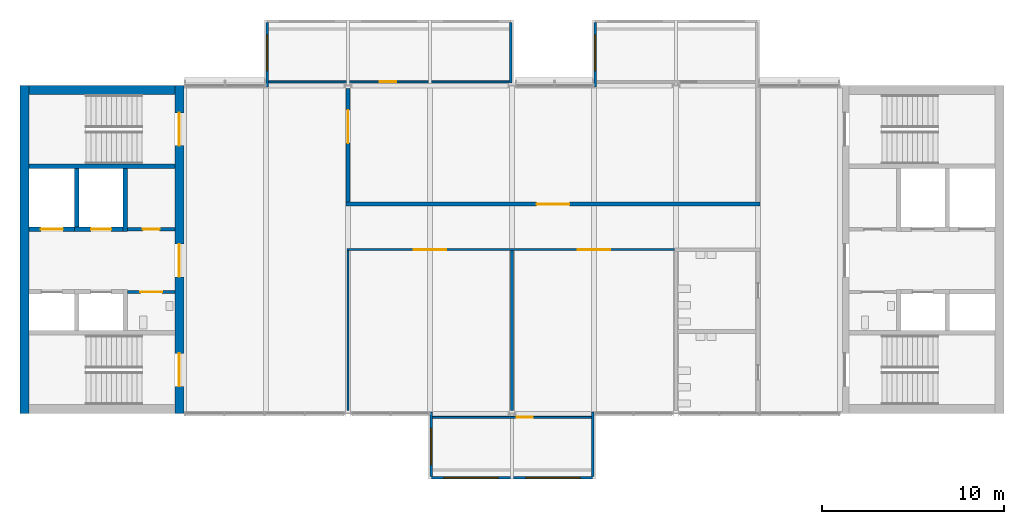
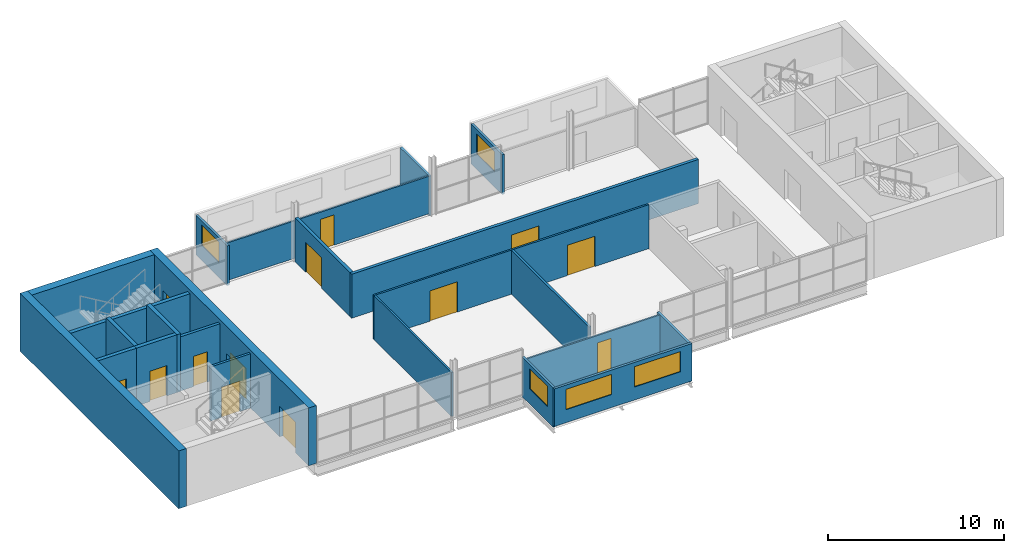
# One storey, part 5 of 10: 23 walls, 13 doors, 5 windows, 18 openings.
"""IFC4 building model written with IfcOpenShell, lengths in metres."""

from ifc_helpers import new_model, si_unit, direction, frame, frame_2d, origin, place, context, subcontext, project, spatial, rectangle, extrude, material, layer, layer_set, type_object, element, fill, save


model = new_model("IFC4")

# Units and contexts
model_context = context("Model", 3, precision=1e-05, world=origin(), true_north=direction((0.0, 1.0)))
body_context = subcontext(model_context, "Body", "Model", "MODEL_VIEW")
ifc_project = project(units=[si_unit("LENGTHUNIT", "METRE"), si_unit("AREAUNIT", "SQUARE_METRE"), si_unit("VOLUMEUNIT", "CUBIC_METRE"), si_unit("PLANEANGLEUNIT", "RADIAN"), si_unit("MASSUNIT", "GRAM", prefix="KILO")], contexts=[model_context])

# Site, building, storey
site_placement = place(None, origin())
site = spatial("IfcSite", under=ifc_project, at=site_placement, CompositionType="ELEMENT")
building_placement = place(site_placement, origin())
building = spatial("IfcBuilding", under=site, at=building_placement, Name="Corbel Yard City Hall", CompositionType="ELEMENT")
storey_placement = place(building_placement, frame((0.0, 0.0, 51.199951171875)))
storey = spatial("IfcBuildingStorey", under=building, at=storey_placement, Name="L12", CompositionType="ELEMENT", Elevation=51.199951171875)

# Walls
ifc_material_1 = material(Name="Concrete N40 (40 MPa)", Category="concrete")
ifc_layer_1 = layer(ifc_material_1, 0.25)
ifc_layer_set_1 = layer_set([ifc_layer_1], Name="Concrete N40 (40 MPa)")
wall_type_1 = type_object("IfcWallType", Name="IW2", PredefinedType="SOLIDWALL", material=ifc_layer_set_1)
wall_1_placement = place(storey_placement, frame((8.5, 112.574951171875, 0.0), z_axis=(0.0, 0.0, 1.0), x_axis=(-1.0, 0.0, 0.0)))
element("IfcWall", 1, at=wall_1_placement, inside=storey, type_object=wall_type_1, Name="Stair enclosure wall", PredefinedType="SOLIDWALL", context=body_context, shape_type="SweptSolid", body=[
    extrude(rectangle(XDim=8.0, YDim=0.25, at=frame_2d((4.0, 0.0))), origin(), (0.0, 0.0, 1.0), 3.75),
])
wall_2_placement = place(storey_placement, frame((5.77490234375, 109.0, 0.0), z_axis=(0.0, 0.0, 1.0), x_axis=(0.0, 1.0, 0.0)))
element("IfcWall", 2, at=wall_2_placement, inside=storey, type_object=wall_type_1, Name="Lift LP24 shaft wall", PredefinedType="SOLIDWALL", context=body_context, shape_type="SweptSolid", body=[
    extrude(rectangle(XDim=3.449951171875, YDim=0.25, at=frame_2d((1.72509765625, 0.0))), origin(), (0.0, 0.0, 1.0), 4.0),
])
wall_3_placement = place(storey_placement, frame((3.125, 109.25, 0.0), z_axis=(0.0, 0.0, 1.0), x_axis=(0.0, 1.0, 0.0)))
element("IfcWall", 3, at=wall_3_placement, inside=storey, type_object=wall_type_1, Name="Lift LP24 shaft wall", PredefinedType="SOLIDWALL", context=body_context, shape_type="SweptSolid", body=[
    extrude(rectangle(XDim=3.199951171875, YDim=0.25, at=frame_2d((1.60009765625, 0.0))), origin(), (0.0, 0.0, 1.0), 4.0),
])

# Wall, opening, door
wall_4_placement = place(storey_placement, frame((5.64990234375, 109.125, 0.0), z_axis=(0.0, 0.0, 1.0), x_axis=(-1.0, 0.0, 0.0)))
wall_4 = element("IfcWall", 4, at=wall_4_placement, inside=storey, type_object=wall_type_1, Name="Lift LP24 shaft wall", PredefinedType="SOLIDWALL", context=body_context, shape_type="SweptSolid", body=[
    extrude(rectangle(XDim=2.64990234375, YDim=0.25, at=frame_2d((1.324951171875, 0.0))), origin(), (0.0, 0.0, 1.0), 4.0),
])
opening_1_placement = place(wall_4_placement, frame((0.64990234375, 0.0, 0.0)))
opening_1 = element("IfcOpeningElement", 5, at=opening_1_placement, cuts=wall_4, Name="Opening T3-006", PredefinedType="OPENING", context=body_context, shape_type="SweptSolid", body=[
    extrude(rectangle(XDim=1.10009765625, YDim=2.10009765625, at=frame_2d((0.550048828125, 1.050048828125))), frame((0.0, 0.135009765625, 0.0), z_axis=(0.0, -1.0, 0.0), x_axis=(1.0, 0.0, 0.0)), (0.0, 0.0, 1.0), 0.27001953125),
])
ifc_material_2 = material(Name="Stainless steel Grade 316", Category="steel")
door_type_1 = type_object("IfcDoorType", Name="LD1", OperationType="DOUBLE_DOOR_SLIDING", PredefinedType="DOOR", material=ifc_material_2)
door_1_placement = place(opening_1_placement, origin())
door_1 = element("IfcDoor", 6, at=door_1_placement, inside=storey, type_object=door_type_1, Name="Lift LP24 landing door", OperationType="DOUBLE_DOOR_SLIDING", OverallHeight=2.10009765625, OverallWidth=1.10009765625, PredefinedType="DOOR", context=body_context, shape_type="SweptSolid", body=[
    extrude(rectangle(XDim=1.10009765625, YDim=2.10009765625, at=frame_2d((0.550048828125, 1.050048828125))), frame((0.0, 0.02490234375, 0.0), z_axis=(0.0, -1.0, 0.0), x_axis=(1.0, 0.0, 0.0)), (0.0, 0.0, 1.0), 0.050048828125),
])
fill(opening_1, door_1)

wall_5_placement = place(storey_placement, frame((3.0, 109.125, 0.0), z_axis=(0.0, 0.0, 1.0), x_axis=(-1.0, 0.0, 0.0)))
wall_5 = element("IfcWall", 7, at=wall_5_placement, inside=storey, type_object=wall_type_1, Name="Lift LF1 shaft wall", PredefinedType="SOLIDWALL", context=body_context, shape_type="SweptSolid", body=[
    extrude(rectangle(XDim=2.5, YDim=0.25, at=frame_2d((1.25, 0.0))), origin(), (0.0, 0.0, 1.0), 4.0),
])
opening_2_placement = place(wall_5_placement, frame((0.64990234375, 0.0, 0.0)))
opening_2 = element("IfcOpeningElement", 8, at=opening_2_placement, cuts=wall_5, Name="Opening T3-007", PredefinedType="OPENING", context=body_context, shape_type="SweptSolid", body=[
    extrude(rectangle(XDim=1.199951171875, YDim=2.10009765625, at=frame_2d((0.60009765625, 1.050048828125))), frame((0.0, 0.135009765625, 0.0), z_axis=(0.0, -1.0, 0.0), x_axis=(1.0, 0.0, 0.0)), (0.0, 0.0, 1.0), 0.27001953125),
])
door_type_2 = type_object("IfcDoorType", Name="LD2", OperationType="DOUBLE_DOOR_SLIDING", PredefinedType="DOOR", material=ifc_material_2)
door_2_placement = place(opening_2_placement, origin())
door_2 = element("IfcDoor", 9, at=door_2_placement, inside=storey, type_object=door_type_2, Name="Lift LF1 landing door", OperationType="DOUBLE_DOOR_SLIDING", OverallHeight=2.10009765625, OverallWidth=1.199951171875, PredefinedType="DOOR", context=body_context, shape_type="SweptSolid", body=[
    extrude(rectangle(XDim=1.199951171875, YDim=2.10009765625, at=frame_2d((0.60009765625, 1.050048828125))), frame((0.0, 0.02490234375, 0.0), z_axis=(0.0, -1.0, 0.0), x_axis=(1.0, 0.0, 0.0)), (0.0, 0.0, 1.0), 0.050048828125),
])
fill(opening_2, door_2)

# Wall, openings, windows
ifc_material_3 = material(Name="Anodised aluminium", Category="aluminium")
ifc_layer_2 = layer(ifc_material_3, 0.02392578125)
ifc_material_4 = material(Name="Steel Grade G550 (550 MPa yield)", Category="steel")
ifc_layer_3 = layer(ifc_material_4, 0.10009765625)
ifc_material_5 = material(Name="Gypsum plasterboard", Category="gypsum")
ifc_layer_4 = layer(ifc_material_5, 0.02587890625)
ifc_layer_set_2 = layer_set([ifc_layer_2, ifc_layer_3, ifc_layer_4], Name="Steel Grade G550 (550 MPa yield)")
wall_type_2 = type_object("IfcWallType", Name="PD1", PredefinedType="SOLIDWALL", material=ifc_layer_set_2)
wall_6_placement = place(storey_placement, frame((22.5, 95.47509765625, 0.0), z_axis=(0.0, 0.0, 1.0), x_axis=(1.0, 0.0, 0.0)))
wall_6 = element("IfcWall", 10, at=wall_6_placement, inside=storey, type_object=wall_type_2, Name="Pod outer wall L12", PredefinedType="SOLIDWALL", context=body_context, shape_type="SweptSolid", body=[
    extrude(rectangle(XDim=9.0, YDim=0.14990234375, at=frame_2d((4.5, 0.0))), origin(), (0.0, 0.0, 1.0), 2.60009765625),
])
opening_3_placement = place(wall_6_placement, frame((0.75, 0.0, 0.89990234375)))
opening_3 = element("IfcOpeningElement", 11, at=opening_3_placement, cuts=wall_6, Name="Opening WN5", PredefinedType="OPENING", context=body_context, shape_type="SweptSolid", body=[
    extrude(rectangle(XDim=3.0, YDim=1.39990234375, at=frame_2d((1.5, 0.699951171875))), frame((0.0, 0.0849609375, 0.0), z_axis=(0.0, -1.0, 0.0), x_axis=(1.0, 0.0, 0.0)), (0.0, 0.0, 1.0), 0.169921875),
])
opening_4_placement = place(wall_6_placement, frame((5.25, 0.0, 0.89990234375)))
opening_4 = element("IfcOpeningElement", 12, at=opening_4_placement, cuts=wall_6, Name="Opening WN5", PredefinedType="OPENING", context=body_context, shape_type="SweptSolid", body=[
    extrude(rectangle(XDim=3.0, YDim=1.39990234375, at=frame_2d((1.5, 0.699951171875))), frame((0.0, 0.0849609375, 0.0), z_axis=(0.0, -1.0, 0.0), x_axis=(1.0, 0.0, 0.0)), (0.0, 0.0, 1.0), 0.169921875),
])
ifc_material_6 = material(Name="Aluminium frame, double glazed low-e glass", Category="aluminium")
window_type_1 = type_object("IfcWindowType", Name="WN5", PartitioningType="SINGLE_PANEL", PredefinedType="WINDOW", material=ifc_material_6)
window_1_placement = place(opening_3_placement, origin())
window_1 = element("IfcWindow", 13, at=window_1_placement, inside=storey, type_object=window_type_1, Name="Window WN5 L12", OverallHeight=1.39990234375, OverallWidth=3.0, PartitioningType="SINGLE_PANEL", PredefinedType="WINDOW", context=body_context, shape_type="SweptSolid", body=[
    extrude(rectangle(XDim=3.0, YDim=1.39990234375, at=frame_2d((1.5, 0.699951171875))), frame((0.0, 0.030029296875, 0.0), z_axis=(0.0, -1.0, 0.0), x_axis=(1.0, 0.0, 0.0)), (0.0, 0.0, 1.0), 0.06005859375),
])
fill(opening_3, window_1)
window_2_placement = place(opening_4_placement, origin())
window_2 = element("IfcWindow", 14, at=window_2_placement, inside=storey, type_object=window_type_1, Name="Window WN5 L12", OverallHeight=1.39990234375, OverallWidth=3.0, PartitioningType="SINGLE_PANEL", PredefinedType="WINDOW", context=body_context, shape_type="SweptSolid", body=[
    extrude(rectangle(XDim=3.0, YDim=1.39990234375, at=frame_2d((1.5, 0.699951171875))), frame((0.0, 0.030029296875, 0.0), z_axis=(0.0, -1.0, 0.0), x_axis=(1.0, 0.0, 0.0)), (0.0, 0.0, 1.0), 0.06005859375),
])
fill(opening_4, window_2)

# Wall, opening, door
ifc_layer_5 = layer(ifc_material_5, 0.01806640625)
ifc_layer_6 = layer(ifc_material_4, 0.06396484375)
ifc_layer_7 = layer(ifc_material_5, 0.01806640625)
ifc_layer_set_3 = layer_set([ifc_layer_5, ifc_layer_6, ifc_layer_7], Name="Steel Grade G550 (550 MPa yield)")
wall_type_3 = type_object("IfcWallType", Name="PD2", PredefinedType="PARTITIONING", material=ifc_layer_set_3)
wall_7_placement = place(storey_placement, frame((22.64990234375, 98.79443359375, 0.0), z_axis=(0.0, 0.0, 1.0), x_axis=(1.0, 0.0, 0.0)))
wall_7 = element("IfcWall", 15, at=wall_7_placement, inside=storey, type_object=wall_type_3, Name="Pod inner wall L12", PredefinedType="PARTITIONING", context=body_context, shape_type="SweptSolid", body=[
    extrude(rectangle(XDim=8.7001953125, YDim=0.10009765625, at=frame_2d((4.35009765625, 0.0))), origin(), (0.0, 0.0, 1.0), 2.60009765625),
])
opening_5_placement = place(wall_7_placement, frame((4.60009765625, 0.0, 0.0)))
opening_5 = element("IfcOpeningElement", 16, at=opening_5_placement, cuts=wall_7, Name="Opening T3-001", PredefinedType="OPENING", context=body_context, shape_type="SweptSolid", body=[
    extrude(rectangle(XDim=0.89990234375, YDim=2.10009765625, at=frame_2d((0.449951171875, 1.050048828125))), frame((0.0, 0.06005859375, 0.0), z_axis=(0.0, -1.0, 0.0), x_axis=(1.0, 0.0, 0.0)), (0.0, 0.0, 1.0), 0.1201171875),
])
ifc_material_7 = material(Name="Timber, solid core", Category="wood")
door_type_3 = type_object("IfcDoorType", Name="XD6", OperationType="SINGLE_SWING_LEFT", PredefinedType="DOOR", material=ifc_material_7)
door_3_placement = place(opening_5_placement, frame((0.89990234375, 0.0, 0.0), z_axis=(0.0, 0.0, 1.0), x_axis=(-1.0, 0.0, 0.0)))
door_3 = element("IfcDoor", 17, at=door_3_placement, inside=storey, type_object=door_type_3, Name="Pod door L12", OperationType="SINGLE_SWING_LEFT", OverallHeight=2.10009765625, OverallWidth=0.89990234375, PredefinedType="DOOR", context=body_context, shape_type="SweptSolid", body=[
    extrude(rectangle(XDim=0.89990234375, YDim=2.10009765625, at=frame_2d((0.449951171875, 1.050048828125))), frame((0.0, 0.02490234375, 0.0), z_axis=(0.0, -1.0, 0.0), x_axis=(1.0, 0.0, 0.0)), (0.0, 0.0, 1.0), 0.050048828125),
])
fill(opening_5, door_3)

wall_8_placement = place(storey_placement, frame((13.64990234375, 117.20556640625, 0.0), z_axis=(0.0, 0.0, 1.0), x_axis=(1.0, 0.0, 0.0)))
wall_8 = element("IfcWall", 18, at=wall_8_placement, inside=storey, type_object=wall_type_3, Name="Pod inner wall L12", PredefinedType="PARTITIONING", context=body_context, shape_type="SweptSolid", body=[
    extrude(rectangle(XDim=13.2001953125, YDim=0.10009765625, at=frame_2d((6.60009765625, 0.0))), origin(), (0.0, 0.0, 1.0), 2.60009765625),
])
opening_6_placement = place(wall_8_placement, frame((6.10009765625, 0.0, 0.0)))
opening_6 = element("IfcOpeningElement", 19, at=opening_6_placement, cuts=wall_8, Name="Opening T3-002", PredefinedType="OPENING", context=body_context, shape_type="SweptSolid", body=[
    extrude(rectangle(XDim=0.89990234375, YDim=2.10009765625, at=frame_2d((0.449951171875, 1.050048828125))), frame((0.0, 0.06005859375, 0.0), z_axis=(0.0, -1.0, 0.0), x_axis=(1.0, 0.0, 0.0)), (0.0, 0.0, 1.0), 0.1201171875),
])
door_4_placement = place(opening_6_placement, origin())
door_4 = element("IfcDoor", 20, at=door_4_placement, inside=storey, type_object=door_type_3, Name="Pod door L12", OperationType="SINGLE_SWING_LEFT", OverallHeight=2.10009765625, OverallWidth=0.89990234375, PredefinedType="DOOR", context=body_context, shape_type="SweptSolid", body=[
    extrude(rectangle(XDim=0.89990234375, YDim=2.10009765625, at=frame_2d((0.449951171875, 1.050048828125))), frame((0.0, 0.02490234375, 0.0), z_axis=(0.0, -1.0, 0.0), x_axis=(1.0, 0.0, 0.0)), (0.0, 0.0, 1.0), 0.050048828125),
])
fill(opening_6, door_4)

# Wall, opening, window
ifc_layer_8 = layer(ifc_material_3, 0.02392578125)
ifc_layer_9 = layer(ifc_material_4, 0.10009765625)
ifc_layer_10 = layer(ifc_material_5, 0.02587890625)
ifc_layer_set_4 = layer_set([ifc_layer_8, ifc_layer_9, ifc_layer_10], Name="Steel Grade G550 (550 MPa yield)")
wall_type_4 = type_object("IfcWallType", Name="PD3", PredefinedType="SOLIDWALL", material=ifc_layer_set_4)
wall_9_placement = place(storey_placement, frame((22.574951171875, 95.550048828125, -0.14990234375), z_axis=(0.0, 0.0, 1.0), x_axis=(0.0, 1.0, 0.0)))
wall_9 = element("IfcWall", 21, at=wall_9_placement, inside=storey, type_object=wall_type_4, Name="Pod side wall L12", PredefinedType="SOLIDWALL", context=body_context, shape_type="SweptSolid", body=[
    extrude(rectangle(XDim=3.52490234375, YDim=0.14990234375, at=frame_2d((1.762451171875, 0.0))), origin(), (0.0, 0.0, 1.0), 2.75),
])
opening_7_placement = place(wall_9_placement, frame((0.647216796875, 0.0, 1.050048828125)))
opening_7 = element("IfcOpeningElement", 22, at=opening_7_placement, cuts=wall_9, Name="Opening WN6", PredefinedType="OPENING", context=body_context, shape_type="SweptSolid", body=[
    extrude(rectangle(XDim=2.0, YDim=1.39990234375, at=frame_2d((1.0, 0.699951171875))), frame((0.0, 0.0849609375, 0.0), z_axis=(0.0, -1.0, 0.0), x_axis=(1.0, 0.0, 0.0)), (0.0, 0.0, 1.0), 0.169921875),
])
window_type_2 = type_object("IfcWindowType", Name="WN6", PartitioningType="SINGLE_PANEL", PredefinedType="WINDOW", material=ifc_material_6)
window_3_placement = place(opening_7_placement, origin())
window_3 = element("IfcWindow", 23, at=window_3_placement, inside=storey, type_object=window_type_2, Name="Window WN6 L12", OverallHeight=1.39990234375, OverallWidth=2.0, PartitioningType="SINGLE_PANEL", PredefinedType="WINDOW", context=body_context, shape_type="SweptSolid", body=[
    extrude(rectangle(XDim=2.0, YDim=1.39990234375, at=frame_2d((1.0, 0.699951171875))), frame((0.0, 0.030029296875, 0.0), z_axis=(0.0, -1.0, 0.0), x_axis=(1.0, 0.0, 0.0)), (0.0, 0.0, 1.0), 0.06005859375),
])
fill(opening_7, window_3)

# Wall
wall_10_placement = place(storey_placement, frame((31.425048828125, 95.550048828125, -0.14990234375), z_axis=(0.0, 0.0, 1.0), x_axis=(0.0, 1.0, 0.0)))
element("IfcWall", 24, at=wall_10_placement, inside=storey, type_object=wall_type_4, Name="Pod side wall L12", PredefinedType="SOLIDWALL", context=body_context, shape_type="SweptSolid", body=[
    extrude(rectangle(XDim=3.52490234375, YDim=0.14990234375, at=frame_2d((1.762451171875, 0.0))), origin(), (0.0, 0.0, 1.0), 2.75),
])

# Wall, opening, window
wall_11_placement = place(storey_placement, frame((13.574951171875, 120.449951171875, -0.14990234375), z_axis=(0.0, 0.0, 1.0), x_axis=(0.0, -1.0, 0.0)))
wall_11 = element("IfcWall", 25, at=wall_11_placement, inside=storey, type_object=wall_type_4, Name="Pod side wall L12", PredefinedType="SOLIDWALL", context=body_context, shape_type="SweptSolid", body=[
    extrude(rectangle(XDim=3.5400390625, YDim=0.14990234375, at=frame_2d((1.77001953125, 0.0))), origin(), (0.0, 0.0, 1.0), 2.75),
])
opening_8_placement = place(wall_11_placement, frame((0.647216796875, 0.0, 1.050048828125)))
opening_8 = element("IfcOpeningElement", 26, at=opening_8_placement, cuts=wall_11, Name="Opening WN6", PredefinedType="OPENING", context=body_context, shape_type="SweptSolid", body=[
    extrude(rectangle(XDim=2.0, YDim=1.39990234375, at=frame_2d((1.0, 0.699951171875))), frame((0.0, 0.0849609375, 0.0), z_axis=(0.0, -1.0, 0.0), x_axis=(1.0, 0.0, 0.0)), (0.0, 0.0, 1.0), 0.169921875),
])
window_4_placement = place(opening_8_placement, origin())
window_4 = element("IfcWindow", 27, at=window_4_placement, inside=storey, type_object=window_type_2, Name="Window WN6 L12", OverallHeight=1.39990234375, OverallWidth=2.0, PartitioningType="SINGLE_PANEL", PredefinedType="WINDOW", context=body_context, shape_type="SweptSolid", body=[
    extrude(rectangle(XDim=2.0, YDim=1.39990234375, at=frame_2d((1.0, 0.699951171875))), frame((0.0, 0.030029296875, 0.0), z_axis=(0.0, -1.0, 0.0), x_axis=(1.0, 0.0, 0.0)), (0.0, 0.0, 1.0), 0.06005859375),
])
fill(opening_8, window_4)

# Wall
wall_12_placement = place(storey_placement, frame((26.925048828125, 120.449951171875, -0.14990234375), z_axis=(0.0, 0.0, 1.0), x_axis=(0.0, -1.0, 0.0)))
element("IfcWall", 28, at=wall_12_placement, inside=storey, type_object=wall_type_4, Name="Pod side wall L12", PredefinedType="SOLIDWALL", context=body_context, shape_type="SweptSolid", body=[
    extrude(rectangle(XDim=3.29443359375, YDim=0.14990234375, at=frame_2d((1.647216796875, 0.0))), origin(), (0.0, 0.0, 1.0), 2.75),
])

# Wall, opening, window
wall_13_placement = place(storey_placement, frame((31.574951171875, 120.449951171875, -0.14990234375), z_axis=(0.0, 0.0, 1.0), x_axis=(0.0, -1.0, 0.0)))
wall_13 = element("IfcWall", 29, at=wall_13_placement, inside=storey, type_object=wall_type_4, Name="Pod side wall L12", PredefinedType="SOLIDWALL", context=body_context, shape_type="SweptSolid", body=[
    extrude(rectangle(XDim=3.5400390625, YDim=0.14990234375, at=frame_2d((1.77001953125, 0.0))), origin(), (0.0, 0.0, 1.0), 2.75),
])
opening_9_placement = place(wall_13_placement, frame((0.647216796875, 0.0, 1.050048828125)))
opening_9 = element("IfcOpeningElement", 30, at=opening_9_placement, cuts=wall_13, Name="Opening WN6", PredefinedType="OPENING", context=body_context, shape_type="SweptSolid", body=[
    extrude(rectangle(XDim=2.0, YDim=1.39990234375, at=frame_2d((1.0, 0.699951171875))), frame((0.0, 0.0849609375, 0.0), z_axis=(0.0, -1.0, 0.0), x_axis=(1.0, 0.0, 0.0)), (0.0, 0.0, 1.0), 0.169921875),
])
window_5_placement = place(opening_9_placement, origin())
window_5 = element("IfcWindow", 31, at=window_5_placement, inside=storey, type_object=window_type_2, Name="Window WN6 L12", OverallHeight=1.39990234375, OverallWidth=2.0, PartitioningType="SINGLE_PANEL", PredefinedType="WINDOW", context=body_context, shape_type="SweptSolid", body=[
    extrude(rectangle(XDim=2.0, YDim=1.39990234375, at=frame_2d((1.0, 0.699951171875))), frame((0.0, 0.030029296875, 0.0), z_axis=(0.0, -1.0, 0.0), x_axis=(1.0, 0.0, 0.0)), (0.0, 0.0, 1.0), 0.06005859375),
])
fill(opening_9, window_5)

# Wall, opening, door
ifc_layer_11 = layer(ifc_material_5, 0.031982421875)
ifc_layer_12 = layer(ifc_material_4, 0.135986328125)
ifc_layer_13 = layer(ifc_material_5, 0.031982421875)
ifc_layer_set_5 = layer_set([ifc_layer_11, ifc_layer_12, ifc_layer_13], Name="Steel Grade G550 (550 MPa yield)")
wall_type_5 = type_object("IfcWallType", Name="PT2", PredefinedType="PARTITIONING", material=ifc_layer_set_5)
wall_14_placement = place(storey_placement, frame((17.89990234375, 110.5, 0.0), z_axis=(0.0, 0.0, 1.0), x_axis=(1.0, 0.0, 0.0)))
wall_14 = element("IfcWall", 32, at=wall_14_placement, inside=storey, type_object=wall_type_5, Name="Acoustic wall", PredefinedType="PARTITIONING", context=body_context, shape_type="SweptSolid", body=[
    extrude(rectangle(XDim=22.7001953125, YDim=0.199951171875, at=frame_2d((11.35009765625, 0.0))), origin(), (0.0, 0.0, 1.0), 3.050048828125),
])
opening_10_placement = place(wall_14_placement, frame((10.449951171875, 0.0, 0.0)))
opening_10 = element("IfcOpeningElement", 33, at=opening_10_placement, cuts=wall_14, Name="Opening T3-015", PredefinedType="OPENING", context=body_context, shape_type="SweptSolid", body=[
    extrude(rectangle(XDim=1.800048828125, YDim=2.10009765625, at=frame_2d((0.89990234375, 1.050048828125))), frame((0.0, 0.10986328125, 0.0), z_axis=(0.0, -1.0, 0.0), x_axis=(1.0, 0.0, 0.0)), (0.0, 0.0, 1.0), 0.219970703125),
])
ifc_material_8 = material(Name="Timber", Category="wood")
door_type_4 = type_object("IfcDoorType", Name="D3", OperationType="DOUBLE_DOOR_SINGLE_SWING", PredefinedType="DOOR", material=ifc_material_8)
door_5_placement = place(opening_10_placement, origin())
door_5 = element("IfcDoor", 34, at=door_5_placement, inside=storey, type_object=door_type_4, Name="Door Open Office 1210", OperationType="DOUBLE_DOOR_SINGLE_SWING", OverallHeight=2.10009765625, OverallWidth=1.800048828125, PredefinedType="DOOR", context=body_context, shape_type="SweptSolid", body=[
    extrude(rectangle(XDim=1.800048828125, YDim=2.10009765625, at=frame_2d((0.89990234375, 1.050048828125))), frame((0.0, 0.02490234375, 0.0), z_axis=(0.0, -1.0, 0.0), x_axis=(1.0, 0.0, 0.0)), (0.0, 0.0, 1.0), 0.050048828125),
])
fill(opening_10, door_5)

wall_15_placement = place(storey_placement, frame((18.0, 110.60009765625, 0.0), z_axis=(0.0, 0.0, 1.0), x_axis=(0.0, 1.0, 0.0)))
wall_15 = element("IfcWall", 35, at=wall_15_placement, inside=storey, type_object=wall_type_5, Name="Acoustic wall", PredefinedType="PARTITIONING", context=body_context, shape_type="SweptSolid", body=[
    extrude(rectangle(XDim=6.236328125, YDim=0.199951171875, at=frame_2d((3.1181640625, 0.0))), origin(), (0.0, 0.0, 1.0), 3.050048828125),
])
opening_11_placement = place(wall_15_placement, frame((3.25, 0.0, 0.0)))
opening_11 = element("IfcOpeningElement", 36, at=opening_11_placement, cuts=wall_15, Name="Opening T3-016", PredefinedType="OPENING", context=body_context, shape_type="SweptSolid", body=[
    extrude(rectangle(XDim=1.800048828125, YDim=2.10009765625, at=frame_2d((0.89990234375, 1.050048828125))), frame((0.0, 0.10986328125, 0.0), z_axis=(0.0, -1.0, 0.0), x_axis=(1.0, 0.0, 0.0)), (0.0, 0.0, 1.0), 0.219970703125),
])
door_6_placement = place(opening_11_placement, origin())
door_6 = element("IfcDoor", 37, at=door_6_placement, inside=storey, type_object=door_type_4, Name="Door Open Office 1210", OperationType="DOUBLE_DOOR_SINGLE_SWING", OverallHeight=2.10009765625, OverallWidth=1.800048828125, PredefinedType="DOOR", context=body_context, shape_type="SweptSolid", body=[
    extrude(rectangle(XDim=1.800048828125, YDim=2.10009765625, at=frame_2d((0.89990234375, 1.050048828125))), frame((0.0, 0.02490234375, 0.0), z_axis=(0.0, -1.0, 0.0), x_axis=(1.0, 0.0, 0.0)), (0.0, 0.0, 1.0), 0.050048828125),
])
fill(opening_11, door_6)

ifc_layer_14 = layer(ifc_material_5, 0.031982421875)
ifc_layer_15 = layer(ifc_material_4, 0.095947265625)
ifc_layer_16 = layer(ifc_material_5, 0.031982421875)
ifc_layer_set_6 = layer_set([ifc_layer_14, ifc_layer_15, ifc_layer_16], Name="Steel Grade G550 (550 MPa yield)")
wall_type_6 = type_object("IfcWallType", Name="PT3", PredefinedType="PARTITIONING", material=ifc_layer_set_6)
wall_16_placement = place(storey_placement, frame((8.5, 105.675048828125, 0.0), z_axis=(0.0, 0.0, 1.0), x_axis=(-1.0, 0.0, 0.0)))
wall_16 = element("IfcWall", 38, at=wall_16_placement, inside=storey, type_object=wall_type_6, Name="Accessible WC wall", PredefinedType="PARTITIONING", context=body_context, shape_type="SweptSolid", body=[
    extrude(rectangle(XDim=2.60009765625, YDim=0.159912109375, at=frame_2d((1.300048828125, 0.0))), origin(), (0.0, 0.0, 1.0), 3.75),
])
opening_12_placement = place(wall_16_placement, frame((0.699951171875, 0.0, 0.0)))
opening_12 = element("IfcOpeningElement", 39, at=opening_12_placement, cuts=wall_16, Name="Opening T3-020", PredefinedType="OPENING", context=body_context, shape_type="SweptSolid", body=[
    extrude(rectangle(XDim=1.199951171875, YDim=2.10009765625, at=frame_2d((0.60009765625, 1.050048828125))), frame((0.0, 0.08984375, 0.0), z_axis=(0.0, -1.0, 0.0), x_axis=(1.0, 0.0, 0.0)), (0.0, 0.0, 1.0), 0.179931640625),
])
ifc_material_9 = material(Name="Steel Grade G250", Category="steel")
door_type_5 = type_object("IfcDoorType", Name="FD7", OperationType="SINGLE_SWING_LEFT", PredefinedType="DOOR", material=ifc_material_9)
door_7_placement = place(opening_12_placement, origin())
door_7 = element("IfcDoor", 40, at=door_7_placement, inside=storey, type_object=door_type_5, Name="Door accessible WC West", OperationType="SINGLE_SWING_LEFT", OverallHeight=2.10009765625, OverallWidth=1.199951171875, PredefinedType="DOOR", context=body_context, shape_type="SweptSolid", body=[
    extrude(rectangle(XDim=1.199951171875, YDim=2.10009765625, at=frame_2d((0.60009765625, 1.050048828125))), frame((0.0, 0.02490234375, 0.0), z_axis=(0.0, -1.0, 0.0), x_axis=(1.0, 0.0, 0.0)), (0.0, 0.0, 1.0), 0.050048828125),
])
fill(opening_12, door_7)

ifc_material_10 = material(Name="Concrete block", Category="concrete")
ifc_layer_17 = layer(ifc_material_10, 0.18994140625)
ifc_layer_set_7 = layer_set([ifc_layer_17], Name="Concrete block")
wall_type_7 = type_object("IfcWallType", Name="PT4", PredefinedType="PARTITIONING", material=ifc_layer_set_7)
wall_17_placement = place(storey_placement, frame((8.5, 109.125, 0.0), z_axis=(0.0, 0.0, 1.0), x_axis=(-1.0, 0.0, 0.0)))
wall_17 = element("IfcWall", 41, at=wall_17_placement, inside=storey, type_object=wall_type_7, Name="Riser wall", PredefinedType="PARTITIONING", context=body_context, shape_type="SweptSolid", body=[
    extrude(rectangle(XDim=2.60009765625, YDim=0.18994140625, at=frame_2d((1.300048828125, 0.0))), origin(), (0.0, 0.0, 1.0), 3.75),
])
opening_13_placement = place(wall_17_placement, frame((0.840087890625, 0.0, 0.0)))
opening_13 = element("IfcOpeningElement", 42, at=opening_13_placement, cuts=wall_17, Name="Opening T3-021", PredefinedType="OPENING", context=body_context, shape_type="SweptSolid", body=[
    extrude(rectangle(XDim=0.919921875, YDim=2.10009765625, at=frame_2d((0.4599609375, 1.050048828125))), frame((0.0, 0.10498046875, 0.0), z_axis=(0.0, -1.0, 0.0), x_axis=(1.0, 0.0, 0.0)), (0.0, 0.0, 1.0), 0.2099609375),
])
door_type_6 = type_object("IfcDoorType", Name="FS4", OperationType="SINGLE_SWING_LEFT", PredefinedType="DOOR", material=ifc_material_9)
door_8_placement = place(opening_13_placement, frame((0.919921875, 0.0, 0.0), z_axis=(0.0, 0.0, 1.0), x_axis=(-1.0, 0.0, 0.0)))
door_8 = element("IfcDoor", 43, at=door_8_placement, inside=storey, type_object=door_type_6, Name="Door riser West", OperationType="SINGLE_SWING_RIGHT", OverallHeight=2.10009765625, OverallWidth=0.919921875, PredefinedType="DOOR", context=body_context, shape_type="SweptSolid", body=[
    extrude(rectangle(XDim=0.919921875, YDim=2.10009765625, at=frame_2d((0.4599609375, 1.050048828125))), frame((0.0, 0.02490234375, 0.0), z_axis=(0.0, -1.0, 0.0), x_axis=(1.0, 0.0, 0.0)), (0.0, 0.0, 1.0), 0.050048828125),
])
fill(opening_13, door_8)

# Wall, openings, doors
ifc_material_11 = material(Name="Glass", Category="glass")
ifc_layer_18 = layer(ifc_material_11, 0.1201171875)
ifc_layer_set_8 = layer_set([ifc_layer_18], Name="Glass")
wall_type_8 = type_object("IfcWallType", Name="PT41", PredefinedType="PARTITIONING", material=ifc_layer_set_8)
wall_18_placement = place(storey_placement, frame((17.93994140625, 108.0, 0.0), z_axis=(0.0, 0.0, 1.0), x_axis=(1.0, 0.0, 0.0)))
wall_18 = element("IfcWall", 44, at=wall_18_placement, inside=storey, type_object=wall_type_8, Name="Glazed partition", PredefinedType="PARTITIONING", context=body_context, shape_type="SweptSolid", body=[
    extrude(rectangle(XDim=17.985107421875, YDim=0.1201171875, at=frame_2d((8.99267578125, 0.0))), origin(), (0.0, 0.0, 1.0), 3.050048828125),
])
opening_14_placement = place(wall_18_placement, frame((3.659912109375, 0.0, 0.0)))
opening_14 = element("IfcOpeningElement", 45, at=opening_14_placement, cuts=wall_18, Name="Opening T3-011", PredefinedType="OPENING", context=body_context, shape_type="SweptSolid", body=[
    extrude(rectangle(XDim=1.800048828125, YDim=2.10009765625, at=frame_2d((0.89990234375, 1.050048828125))), frame((0.0, 0.070068359375, 0.0), z_axis=(0.0, -1.0, 0.0), x_axis=(1.0, 0.0, 0.0)), (0.0, 0.0, 1.0), 0.14013671875),
])
opening_15_placement = place(wall_18_placement, frame((12.659912109375, 0.0, 0.0)))
opening_15 = element("IfcOpeningElement", 46, at=opening_15_placement, cuts=wall_18, Name="Opening T3-012", PredefinedType="OPENING", context=body_context, shape_type="SweptSolid", body=[
    extrude(rectangle(XDim=1.800048828125, YDim=2.10009765625, at=frame_2d((0.89990234375, 1.050048828125))), frame((0.0, 0.070068359375, 0.0), z_axis=(0.0, -1.0, 0.0), x_axis=(1.0, 0.0, 0.0)), (0.0, 0.0, 1.0), 0.14013671875),
])
door_9_placement = place(opening_14_placement, origin())
door_9 = element("IfcDoor", 47, at=door_9_placement, inside=storey, type_object=door_type_4, Name="Door Meeting Suite 1206", OperationType="DOUBLE_DOOR_SINGLE_SWING", OverallHeight=2.10009765625, OverallWidth=1.800048828125, PredefinedType="DOOR", context=body_context, shape_type="SweptSolid", body=[
    extrude(rectangle(XDim=1.800048828125, YDim=2.10009765625, at=frame_2d((0.89990234375, 1.050048828125))), frame((0.0, 0.02490234375, 0.0), z_axis=(0.0, -1.0, 0.0), x_axis=(1.0, 0.0, 0.0)), (0.0, 0.0, 1.0), 0.050048828125),
])
fill(opening_14, door_9)
door_10_placement = place(opening_15_placement, origin())
door_10 = element("IfcDoor", 48, at=door_10_placement, inside=storey, type_object=door_type_4, Name="Door Meeting Suite 1207", OperationType="DOUBLE_DOOR_SINGLE_SWING", OverallHeight=2.10009765625, OverallWidth=1.800048828125, PredefinedType="DOOR", context=body_context, shape_type="SweptSolid", body=[
    extrude(rectangle(XDim=1.800048828125, YDim=2.10009765625, at=frame_2d((0.89990234375, 1.050048828125))), frame((0.0, 0.02490234375, 0.0), z_axis=(0.0, -1.0, 0.0), x_axis=(1.0, 0.0, 0.0)), (0.0, 0.0, 1.0), 0.050048828125),
])
fill(opening_15, door_10)

# Walls
wall_19_placement = place(storey_placement, frame((18.0, 99.16357421875, 0.0), z_axis=(0.0, 0.0, 1.0), x_axis=(0.0, 1.0, 0.0)))
element("IfcWall", 49, at=wall_19_placement, inside=storey, type_object=wall_type_8, Name="Glazed partition", PredefinedType="PARTITIONING", context=body_context, shape_type="SweptSolid", body=[
    extrude(rectangle(XDim=8.7763671875, YDim=0.1201171875, at=frame_2d((4.38818359375, 0.0))), origin(), (0.0, 0.0, 1.0), 3.050048828125),
])
ifc_layer_19 = layer(ifc_material_5, 0.031982421875)
ifc_layer_20 = layer(ifc_material_4, 0.0859375)
ifc_layer_21 = layer(ifc_material_5, 0.031982421875)
ifc_layer_set_9 = layer_set([ifc_layer_19, ifc_layer_20, ifc_layer_21], Name="Steel Grade G550 (550 MPa yield)")
wall_type_9 = type_object("IfcWallType", Name="PT7", PredefinedType="PARTITIONING", material=ifc_layer_set_9)
wall_20_placement = place(storey_placement, frame((27.0, 99.16357421875, 0.0), z_axis=(0.0, 0.0, 1.0), x_axis=(0.0, 1.0, 0.0)))
element("IfcWall", 50, at=wall_20_placement, inside=storey, type_object=wall_type_9, Name="Suite partition", PredefinedType="PARTITIONING", context=body_context, shape_type="SweptSolid", body=[
    extrude(rectangle(XDim=8.7763671875, YDim=0.14990234375, at=frame_2d((4.38818359375, 0.0))), origin(), (0.0, 0.0, 1.0), 3.050048828125),
])
ifc_material_12 = material(Name="Concrete N50 (50 MPa)", Category="concrete")
ifc_layer_22 = layer(ifc_material_12, 0.5)
ifc_layer_set_10 = layer_set([ifc_layer_22], Name="Concrete N50 (50 MPa)")
wall_type_10 = type_object("IfcWallType", Name="Trunk wall 500", PredefinedType="SHEAR", material=ifc_layer_set_10)
wall_21_placement = place(storey_placement, frame((0.25, 99.0, 0.0), z_axis=(0.0, 0.0, 1.0), x_axis=(0.0, 1.0, 0.0)))
element("IfcWall", 51, at=wall_21_placement, inside=storey, type_object=wall_type_10, Name="Trunk W west wall", PredefinedType="SHEAR", context=body_context, shape_type="SweptSolid", body=[
    extrude(rectangle(XDim=18.0, YDim=0.5, at=frame_2d((9.0, 0.0))), origin(), (0.0, 0.0, 1.0), 4.0),
])

# Wall, openings, doors
wall_22_placement = place(storey_placement, frame((8.75, 99.0, 0.0), z_axis=(0.0, 0.0, 1.0), x_axis=(0.0, 1.0, 0.0)))
wall_22 = element("IfcWall", 52, at=wall_22_placement, inside=storey, type_object=wall_type_10, Name="Trunk W east wall", PredefinedType="SHEAR", context=body_context, shape_type="SweptSolid", body=[
    extrude(rectangle(XDim=18.0, YDim=0.5, at=frame_2d((9.0, 0.0))), origin(), (0.0, 0.0, 1.0), 4.0),
])
opening_16_placement = place(wall_22_placement, frame((1.5, 0.0, 0.0)))
opening_16 = element("IfcOpeningElement", 53, at=opening_16_placement, cuts=wall_22, Name="Opening T3-017", PredefinedType="OPENING", context=body_context, shape_type="SweptSolid", body=[
    extrude(rectangle(XDim=1.800048828125, YDim=2.10009765625, at=frame_2d((0.89990234375, 1.050048828125))), frame((0.0, 0.260009765625, 0.0), z_axis=(0.0, -1.0, 0.0), x_axis=(1.0, 0.0, 0.0)), (0.0, 0.0, 1.0), 0.52001953125),
])
opening_17_placement = place(wall_22_placement, frame((14.699951171875, 0.0, 0.0)))
opening_17 = element("IfcOpeningElement", 54, at=opening_17_placement, cuts=wall_22, Name="Opening T3-018", PredefinedType="OPENING", context=body_context, shape_type="SweptSolid", body=[
    extrude(rectangle(XDim=1.800048828125, YDim=2.10009765625, at=frame_2d((0.89990234375, 1.050048828125))), frame((0.0, 0.260009765625, 0.0), z_axis=(0.0, -1.0, 0.0), x_axis=(1.0, 0.0, 0.0)), (0.0, 0.0, 1.0), 0.52001953125),
])
opening_18_placement = place(wall_22_placement, frame((7.5, 0.0, 0.0)))
opening_18 = element("IfcOpeningElement", 55, at=opening_18_placement, cuts=wall_22, Name="Opening T3-019", PredefinedType="OPENING", context=body_context, shape_type="SweptSolid", body=[
    extrude(rectangle(XDim=1.800048828125, YDim=2.10009765625, at=frame_2d((0.89990234375, 1.050048828125))), frame((0.0, 0.260009765625, 0.0), z_axis=(0.0, -1.0, 0.0), x_axis=(1.0, 0.0, 0.0)), (0.0, 0.0, 1.0), 0.52001953125),
])
door_type_7 = type_object("IfcDoorType", Name="FS3", OperationType="DOUBLE_DOOR_SINGLE_SWING", PredefinedType="DOOR", material=ifc_material_9)
door_11_placement = place(opening_16_placement, origin())
door_11 = element("IfcDoor", 56, at=door_11_placement, inside=storey, type_object=door_type_7, Name="Door ST-W1", OperationType="DOUBLE_DOOR_SINGLE_SWING", OverallHeight=2.10009765625, OverallWidth=1.800048828125, PredefinedType="DOOR", context=body_context, shape_type="SweptSolid", body=[
    extrude(rectangle(XDim=1.800048828125, YDim=2.10009765625, at=frame_2d((0.89990234375, 1.050048828125))), frame((0.0, 0.02490234375, 0.0), z_axis=(0.0, -1.0, 0.0), x_axis=(1.0, 0.0, 0.0)), (0.0, 0.0, 1.0), 0.050048828125),
])
fill(opening_16, door_11)
door_12_placement = place(opening_17_placement, origin())
door_12 = element("IfcDoor", 57, at=door_12_placement, inside=storey, type_object=door_type_7, Name="Door ST-W2", OperationType="DOUBLE_DOOR_SINGLE_SWING", OverallHeight=2.10009765625, OverallWidth=1.800048828125, PredefinedType="DOOR", context=body_context, shape_type="SweptSolid", body=[
    extrude(rectangle(XDim=1.800048828125, YDim=2.10009765625, at=frame_2d((0.89990234375, 1.050048828125))), frame((0.0, 0.02490234375, 0.0), z_axis=(0.0, -1.0, 0.0), x_axis=(1.0, 0.0, 0.0)), (0.0, 0.0, 1.0), 0.050048828125),
])
fill(opening_17, door_12)
door_13_placement = place(opening_18_placement, origin())
door_13 = element("IfcDoor", 58, at=door_13_placement, inside=storey, type_object=door_type_7, Name="Door lift lobby West", OperationType="DOUBLE_DOOR_SINGLE_SWING", OverallHeight=2.10009765625, OverallWidth=1.800048828125, PredefinedType="DOOR", context=body_context, shape_type="SweptSolid", body=[
    extrude(rectangle(XDim=1.800048828125, YDim=2.10009765625, at=frame_2d((0.89990234375, 1.050048828125))), frame((0.0, 0.02490234375, 0.0), z_axis=(0.0, -1.0, 0.0), x_axis=(1.0, 0.0, 0.0)), (0.0, 0.0, 1.0), 0.050048828125),
])
fill(opening_18, door_13)

# Wall
wall_23_placement = place(storey_placement, frame((0.5, 116.75, 0.0), z_axis=(0.0, 0.0, 1.0), x_axis=(1.0, 0.0, 0.0)))
element("IfcWall", 59, at=wall_23_placement, inside=storey, type_object=wall_type_10, Name="Trunk W north wall", PredefinedType="SHEAR", context=body_context, shape_type="SweptSolid", body=[
    extrude(rectangle(XDim=8.0, YDim=0.5, at=frame_2d((4.0, 0.0))), origin(), (0.0, 0.0, 1.0), 4.0),
])

save(model, "model.ifc")
